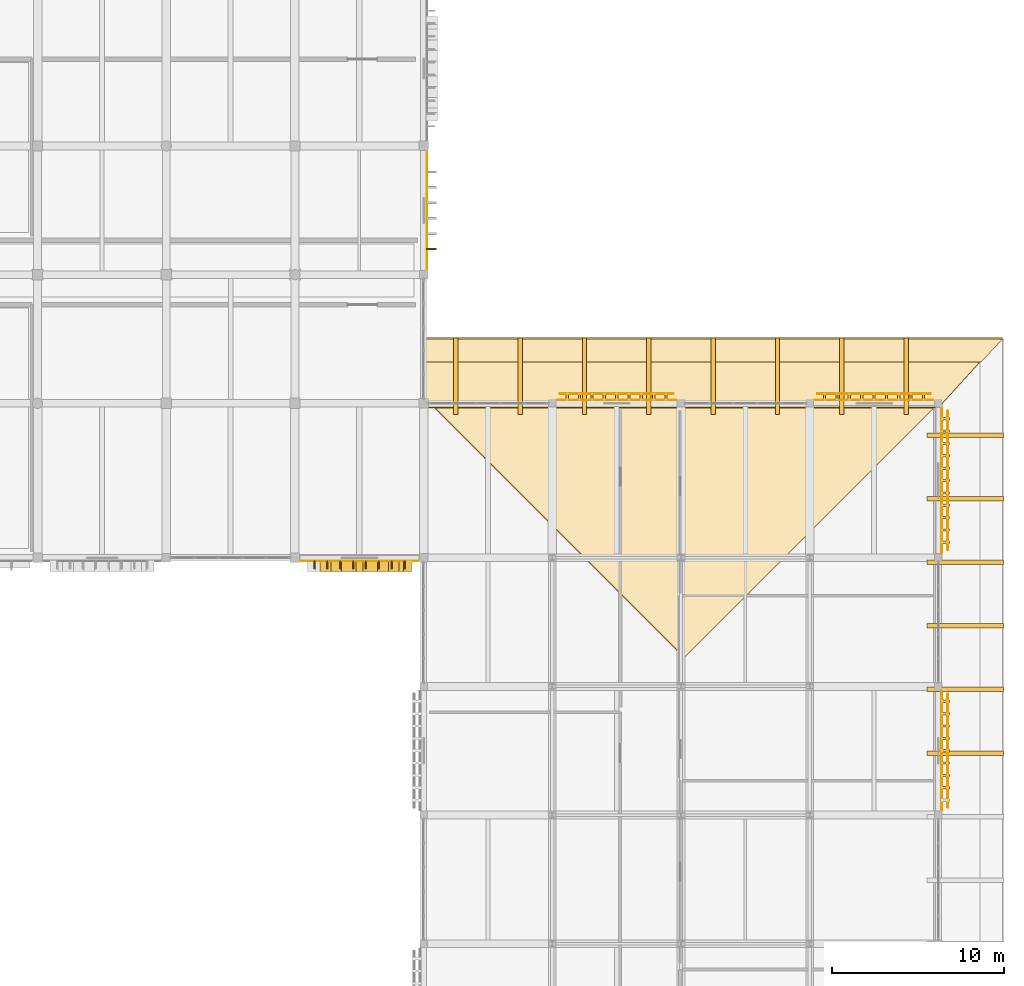
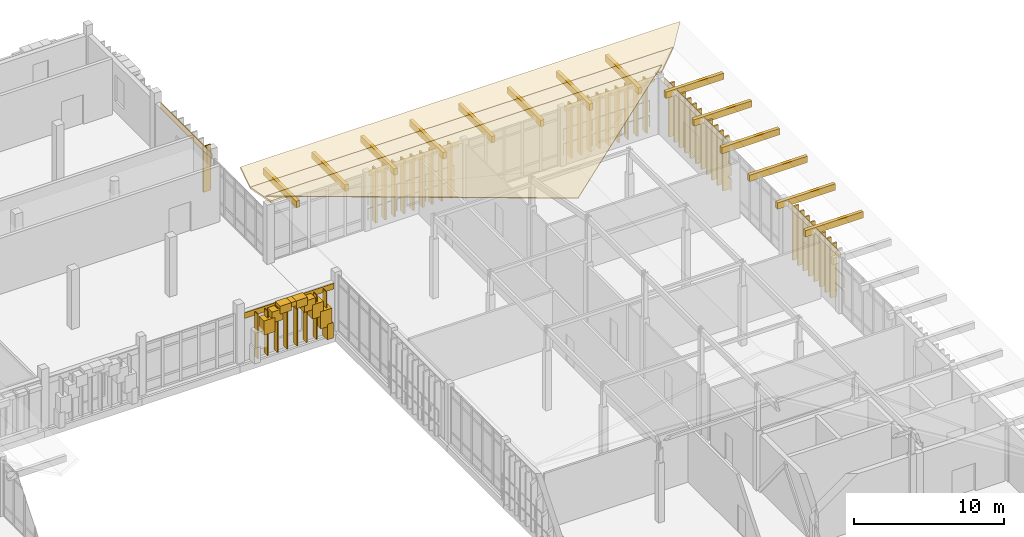
# One storey, part 130 of 131: 70 coverings, 8 railings, 8 shading devices.
"""IFC4 building model written with IfcOpenShell, lengths in metres."""

import ifcopenshell
import ifcopenshell.guid

model = None  # the IFC model being written
_history = None  # IfcOwnerHistory: only IFC2X3 demands one
_inside = {}  # id of a spatial element -> (the spatial element, [elements in it])
_under = {}  # id of a project, library or spatial element -> (it, [spatial elements below it])
_declared = {}  # id of a project -> (the project, [libraries it declares])
_typed = {}  # id of a type object -> (the type object, [elements of that type])
_made_of = {}  # id of a material, layer set ... -> (it, [elements and type objects made of it])


def new_model(schema):
    """Start an empty IFC model of exactly this schema.

    Asked for "IFC4X3", IfcOpenShell would pick the latest addendum, in which some entities
    have other attributes; the version numbers below select the first issue.
    IFC2X3 requires an IfcOwnerHistory on every rooted entity: one is made here for all.
    """
    global model, _history
    if schema == "IFC4X3":
        model = ifcopenshell.file(schema_version=(4, 3, 0, 0))
    else:
        model = ifcopenshell.file(schema=schema)
    _inside.clear()
    _under.clear()
    _declared.clear()
    _typed.clear()
    _made_of.clear()
    _history = None
    if model.schema == "IFC2X3":
        org = make("IfcOrganization", Name="unknown")
        user = make(
            "IfcPersonAndOrganization",
            ThePerson=make("IfcPerson", FamilyName="unknown"),
            TheOrganization=org,
        )
        app = make(
            "IfcApplication",
            ApplicationDeveloper=org,
            Version="unknown",
            ApplicationFullName="unknown",
            ApplicationIdentifier="unknown",
        )
        _history = make(
            "IfcOwnerHistory",
            OwningUser=user,
            OwningApplication=app,
            ChangeAction="ADDED",
            CreationDate=0,
        )
    return model


def make(cls, **values):
    """One entity of the class cls with the attributes given. An attribute that is None is left unset."""
    return model.create_entity(
        cls, **{name: value for name, value in values.items() if value is not None}
    )


def rooted(cls, **values):
    """An entity with a GlobalId (a new one), such as an element, a storey or a relation."""
    return make(cls, GlobalId=ifcopenshell.guid.new(), OwnerHistory=_history, **values)


def si_unit(unit_type, name, prefix=None):
    """IfcSIUnit, for example si_unit("LENGTHUNIT", "METRE", prefix="MILLI")."""
    return make("IfcSIUnit", UnitType=unit_type, Prefix=prefix, Name=name)


def assignment(units):
    """IfcUnitAssignment: the units of a project."""
    return None if units is None else make("IfcUnitAssignment", Units=units)


def point(xyz):
    """IfcCartesianPoint."""
    return None if xyz is None else make("IfcCartesianPoint", Coordinates=xyz)


def direction(xyz):
    """IfcDirection."""
    return None if xyz is None else make("IfcDirection", DirectionRatios=xyz)


def frame(location, z_axis=None, x_axis=None):
    """IfcAxis2Placement3D, a coordinate frame: its origin and axes. An axis left out is left unset."""
    return make(
        "IfcAxis2Placement3D",
        Location=point(location),
        Axis=direction(z_axis),
        RefDirection=direction(x_axis),
    )


def frame_2d(location, x_axis=None):
    """IfcAxis2Placement2D, a coordinate frame in the plane: its origin and x axis."""
    return make(
        "IfcAxis2Placement2D", Location=point(location), RefDirection=direction(x_axis)
    )


def origin():
    """The frame at (0, 0, 0) with its axes left unset."""
    return frame((0.0, 0.0, 0.0))


def origin_2d():
    """The frame at (0, 0) in the plane with its x axis left unset."""
    return frame_2d((0.0, 0.0))


def place(relative_to, where):
    """IfcLocalPlacement: puts the frame where relative to a parent placement (None: the world)."""
    return make(
        "IfcLocalPlacement", PlacementRelTo=relative_to, RelativePlacement=where
    )


def context(
    kind, dimensions, precision=None, world=None, true_north=None, identifier=None
):
    """IfcGeometricRepresentationContext, for example the 3D "Model" context."""
    return make(
        "IfcGeometricRepresentationContext",
        ContextIdentifier=identifier,
        ContextType=kind,
        CoordinateSpaceDimension=dimensions,
        Precision=precision,
        WorldCoordinateSystem=world,
        TrueNorth=true_north,
    )


def subcontext(parent, identifier, kind, view, scale=None):
    """IfcGeometricRepresentationSubContext, for example "Body" below "Model"."""
    return make(
        "IfcGeometricRepresentationSubContext",
        ContextIdentifier=identifier,
        ContextType=kind,
        ParentContext=parent,
        TargetScale=scale,
        TargetView=view,
    )


def project(units=None, contexts=None):
    """IfcProject with its units and contexts."""
    return rooted(
        "IfcProject",
        Name="project",
        RepresentationContexts=contexts,
        UnitsInContext=assignment(units),
    )


def spatial(cls, under=None, at=None, **own):
    """A site, building, storey or space (cls), placed at a placement, below another one or the project."""
    s = rooted(cls, ObjectPlacement=at, **own)
    if under is not None:
        _under.setdefault(under.id(), (under, []))[1].append(s)
    return s


def polyline(points):
    """IfcPolyline through the points."""
    return make("IfcPolyline", Points=[point(p) for p in points])


def profile(cls, at=None, kind="AREA", **sizes):
    """A parametric profile (cls). Its sizes go by their IFC names, for example OverallWidth=200.0."""
    return make(cls, ProfileType=kind, Position=at, **sizes)


def rectangle(**sizes):
    """IfcRectangleProfileDef."""
    return profile("IfcRectangleProfileDef", **sizes)


def circle(**sizes):
    """IfcCircleProfileDef."""
    return profile("IfcCircleProfileDef", **sizes)


def outline(outer, holes=None, kind="AREA"):
    """IfcArbitraryClosedProfileDef: a profile drawn as a closed curve; with holes, ...WithVoids."""
    if holes is None:
        return make("IfcArbitraryClosedProfileDef", ProfileType=kind, OuterCurve=outer)
    return make(
        "IfcArbitraryProfileDefWithVoids",
        ProfileType=kind,
        OuterCurve=outer,
        InnerCurves=holes,
    )


def extrude(swept, where, along, depth):
    """IfcExtrudedAreaSolid: the profile swept, set in the frame where, extruded along a direction by depth."""
    return make(
        "IfcExtrudedAreaSolid",
        SweptArea=swept,
        Position=where,
        ExtrudedDirection=direction(along),
        Depth=depth,
    )


def shape(context_of_items, identifier, shape_type, items):
    """IfcShapeRepresentation: the items that make up one representation, for example the "Body"."""
    return make(
        "IfcShapeRepresentation",
        ContextOfItems=context_of_items,
        RepresentationIdentifier=identifier,
        RepresentationType=shape_type,
        Items=items,
    )


def material(Name=None, Category=None):
    """IfcMaterial."""
    return make("IfcMaterial", Name=Name, Category=Category)


def layer(
    of_material, thickness, ventilated=None, Name=None, Category=None, Priority=None
):
    """IfcMaterialLayer: one layer of a wall or slab, of a material (None: an air gap)."""
    return make(
        "IfcMaterialLayer",
        Material=of_material,
        LayerThickness=thickness,
        IsVentilated=ventilated,
        Name=Name,
        Category=Category,
        Priority=Priority,
    )


def layer_set(layers, Name=None):
    """IfcMaterialLayerSet."""
    return make("IfcMaterialLayerSet", MaterialLayers=layers, LayerSetName=Name)


def made_of(thing, what):
    """Note that an element or type object is made of a material, layer set ...; save() writes the relation."""
    if what is not None:
        _made_of.setdefault(what.id(), (what, []))[1].append(thing)
    return thing


def type_object(cls, material=None, **own):
    """A type object (cls), such as IfcWallType, which elements share."""
    return made_of(rooted(cls, **own), material)


def element(
    cls,
    number,
    at=None,
    inside=None,
    cuts=None,
    type_object=None,
    material=None,
    context=None,
    identifier="Body",
    shape_type=None,
    held_by="IfcProductDefinitionShape",
    body=None,
    shapes=None,
    **own,
):
    """One element of the class cls, such as IfcWall. Its Tag is "e" and its number.

    at: its placement. inside: the storey or other place that contains it. cuts: it is an
    opening in that element (IfcRelVoidsElement). A single representation is given by context,
    identifier, shape_type and body (its items); several are given by shapes. held_by: the class
    of the entity that holds the representations. save() writes the other relations.
    """
    e = rooted(cls, Tag="e%d" % number, ObjectPlacement=at, **own)
    if body is not None:
        shapes = [shape(context, identifier, shape_type, body)]
    if shapes is not None:
        e.Representation = make(held_by, Representations=shapes)
    if inside is not None:
        _inside.setdefault(inside.id(), (inside, []))[1].append(e)
    if cuts is not None:
        rooted(
            "IfcRelVoidsElement", RelatingBuildingElement=cuts, RelatedOpeningElement=e
        )
    if type_object is not None:
        _typed.setdefault(type_object.id(), (type_object, []))[1].append(e)
    return made_of(e, material)


def aggregate(whole, parts):
    """IfcRelAggregates: a whole, such as a stair, and the parts it consists of."""
    return rooted("IfcRelAggregates", RelatingObject=whole, RelatedObjects=parts)


def save(model, path):
    """Write the relations noted so far, then the file.

    IfcRelAggregates (storeys below a building ...), IfcRelContainedInSpatialStructure (elements
    in a storey), IfcRelDefinesByType, IfcRelAssociatesMaterial and IfcRelDeclares: one each for
    every whole, place, type object, material and project.
    """
    for whole, parts in _under.values():
        aggregate(whole, parts)
    for where, things in _inside.values():
        rooted(
            "IfcRelContainedInSpatialStructure",
            RelatedElements=things,
            RelatingStructure=where,
        )
    for kind, things in _typed.values():
        rooted("IfcRelDefinesByType", RelatedObjects=things, RelatingType=kind)
    for what, things in _made_of.values():
        rooted("IfcRelAssociatesMaterial", RelatedObjects=things, RelatingMaterial=what)
    for by, libraries in _declared.values():
        rooted("IfcRelDeclares", RelatingContext=by, RelatedDefinitions=libraries)
    model.write(path)


model = new_model("IFC4")

# Units and contexts
model_context = context("Model", 3, precision=1e-05, world=origin(), true_north=direction((0.0, 1.0)))
body_context = subcontext(model_context, "Body", "Model", "MODEL_VIEW")
ifc_project = project(units=[si_unit("LENGTHUNIT", "METRE"), si_unit("AREAUNIT", "SQUARE_METRE"), si_unit("VOLUMEUNIT", "CUBIC_METRE"), si_unit("PLANEANGLEUNIT", "RADIAN"), si_unit("MASSUNIT", "GRAM", prefix="KILO")], contexts=[model_context])

# Site, building, storey
site_placement = place(None, origin())
site = spatial("IfcSite", under=ifc_project, at=site_placement, CompositionType="ELEMENT")
building_placement = place(site_placement, origin())
building = spatial("IfcBuilding", under=site, at=building_placement, Name="Dalvernix Boulevard General Hospital", CompositionType="ELEMENT")
storey_placement = place(building_placement, frame((0.0, 0.0, 9.300048828125)))
storey = spatial("IfcBuildingStorey", under=building, at=storey_placement, Name="L02", CompositionType="ELEMENT", Elevation=9.300048828125)

# Coverings
ifc_material_1 = material(Name="Pressed Catalan clay brick and dressed limestone parabolic archivolt", Category="masonry")
ifc_layer_1 = layer(ifc_material_1, 0.419921875)
ifc_layer_set_1 = layer_set([ifc_layer_1], Name="Pressed Catalan clay brick and dressed limestone parabolic archivolt (COV-ARC-01)")
covering_type_1 = type_object("IfcCoveringType", Name="COV-ARC-01", PredefinedType="CLADDING", material=ifc_layer_set_1)
covering_1_placement = place(storey_placement, frame((141.5625, 76.014892578125, 0.0), z_axis=(0.0, 0.0, 1.0), x_axis=(-1.0, 0.0, 0.0)))
element("IfcCovering", 1, at=covering_1_placement, inside=storey, type_object=covering_type_1, Name="L02 Catalan parabolic arch impost pier S 18-10-L", PredefinedType="CLADDING", context=body_context, shape_type="SweptSolid", body=[
    extrude(rectangle(XDim=0.4599609375, YDim=0.659912109375, at=origin_2d()), origin(), (0.0, 0.0, 1.0), 1.25),
])
covering_2_placement = place(storey_placement, frame((141.25146484375, 76.014892578125, 1.059814453125), z_axis=(0.0, 0.0, 1.0), x_axis=(-1.0, 0.0, 0.0)))
element("IfcCovering", 2, at=covering_2_placement, inside=storey, type_object=covering_type_1, Name="L02 Catalan parabolic archivolt voussoir S 18-10-1", PredefinedType="CLADDING", context=body_context, shape_type="SweptSolid", body=[
    extrude(rectangle(XDim=0.8623046875, YDim=0.659912109375, at=origin_2d()), origin(), (0.0, 0.0, 1.0), 1.3994140625),
])
covering_3_placement = place(storey_placement, frame((140.629150390625, 76.014892578125, 2.0791015625), z_axis=(0.0, 0.0, 1.0), x_axis=(-1.0, 0.0, 0.0)))
element("IfcCovering", 3, at=covering_3_placement, inside=storey, type_object=covering_type_1, Name="L02 Catalan parabolic archivolt voussoir S 18-10-2", PredefinedType="CLADDING", context=body_context, shape_type="SweptSolid", body=[
    extrude(rectangle(XDim=0.8623046875, YDim=0.659912109375, at=origin_2d()), origin(), (0.0, 0.0, 1.0), 1.144287109375),
])
covering_4_placement = place(storey_placement, frame((140.0068359375, 76.014892578125, 2.843505859375), z_axis=(0.0, 0.0, 1.0), x_axis=(-1.0, 0.0, 0.0)))
element("IfcCovering", 4, at=covering_4_placement, inside=storey, type_object=covering_type_1, Name="L02 Catalan parabolic archivolt voussoir S 18-10-3", PredefinedType="CLADDING", context=body_context, shape_type="SweptSolid", body=[
    extrude(rectangle(XDim=0.8623046875, YDim=0.659912109375, at=origin_2d()), origin(), (0.0, 0.0, 1.0), 0.8896484375),
])
covering_5_placement = place(storey_placement, frame((139.384765625, 76.014892578125, 3.353271484375), z_axis=(0.0, 0.0, 1.0), x_axis=(-1.0, 0.0, 0.0)))
element("IfcCovering", 5, at=covering_5_placement, inside=storey, type_object=covering_type_1, Name="L02 Catalan parabolic archivolt voussoir S 18-10-4", PredefinedType="CLADDING", context=body_context, shape_type="SweptSolid", body=[
    extrude(rectangle(XDim=0.8623046875, YDim=0.659912109375, at=origin_2d()), origin(), (0.0, 0.0, 1.0), 0.634765625),
])
covering_6_placement = place(storey_placement, frame((138.762451171875, 76.014892578125, 3.608154296875), z_axis=(0.0, 0.0, 1.0), x_axis=(-1.0, 0.0, 0.0)))
element("IfcCovering", 6, at=covering_6_placement, inside=storey, type_object=covering_type_1, Name="L02 Catalan parabolic archivolt voussoir S 18-10-5", PredefinedType="CLADDING", context=body_context, shape_type="SweptSolid", body=[
    extrude(rectangle(XDim=0.8623046875, YDim=0.659912109375, at=origin_2d()), origin(), (0.0, 0.0, 1.0), 0.3798828125),
])
covering_7_placement = place(storey_placement, frame((138.140380859375, 76.014892578125, 3.353271484375), z_axis=(0.0, 0.0, 1.0), x_axis=(-1.0, 0.0, 0.0)))
element("IfcCovering", 7, at=covering_7_placement, inside=storey, type_object=covering_type_1, Name="L02 Catalan parabolic archivolt voussoir S 18-10-6", PredefinedType="CLADDING", context=body_context, shape_type="SweptSolid", body=[
    extrude(rectangle(XDim=0.8623046875, YDim=0.659912109375, at=origin_2d()), origin(), (0.0, 0.0, 1.0), 0.634765625),
])
covering_8_placement = place(storey_placement, frame((137.51806640625, 76.014892578125, 2.843505859375), z_axis=(0.0, 0.0, 1.0), x_axis=(-1.0, 0.0, 0.0)))
element("IfcCovering", 8, at=covering_8_placement, inside=storey, type_object=covering_type_1, Name="L02 Catalan parabolic archivolt voussoir S 18-10-7", PredefinedType="CLADDING", context=body_context, shape_type="SweptSolid", body=[
    extrude(rectangle(XDim=0.8623046875, YDim=0.659912109375, at=origin_2d()), origin(), (0.0, 0.0, 1.0), 0.8896484375),
])
covering_9_placement = place(storey_placement, frame((136.895751953125, 76.014892578125, 2.0791015625), z_axis=(0.0, 0.0, 1.0), x_axis=(-1.0, 0.0, 0.0)))
element("IfcCovering", 9, at=covering_9_placement, inside=storey, type_object=covering_type_1, Name="L02 Catalan parabolic archivolt voussoir S 18-10-8", PredefinedType="CLADDING", context=body_context, shape_type="SweptSolid", body=[
    extrude(rectangle(XDim=0.8623046875, YDim=0.659912109375, at=origin_2d()), origin(), (0.0, 0.0, 1.0), 1.144287109375),
])
ifc_material_2 = material(Name="Polychrome Catalan glazed ceramic spandrel tile panel")
ifc_layer_2 = layer(ifc_material_2, 0.044921875)
ifc_layer_set_2 = layer_set([ifc_layer_2], Name="Polychrome Catalan glazed ceramic spandrel tile panel (COV-CLD-01)")
covering_type_2 = type_object("IfcCoveringType", Name="COV-CLD-01", PredefinedType="CLADDING", material=ifc_layer_set_2)
for number, where, z_axis, x_axis, name in (
    (10, (138.762451171875, 76.304931640625, 3.47509765625), (0.0, 0.0, 1.0), (-1.0, 0.0, 0.0), "L02 polychrome ceramic spandrel S 18-10"),
    (11, (142.695068359375, 96.737548828125, 3.47509765625), (0.0, 0.0, 1.0), (0.0, -1.0, 0.0), "L02 polychrome ceramic spandrel E 19-12"),
):
    element("IfcCovering", number, at=place(storey_placement, frame(where, z_axis=z_axis, x_axis=x_axis)), inside=storey, type_object=covering_type_2, Name=name, PredefinedType="CLADDING", context=body_context, shape_type="SweptSolid", body=[
        extrude(rectangle(XDim=6.85498046875, YDim=0.044921875, at=origin_2d()), origin(), (0.0, 0.0, 1.0), 0.449951171875),
    ])
for number, where, z_axis, x_axis, name in (
    (12, (153.75, 85.695068359375, 4.0751953125), (0.0, 0.0, 1.0), (1.0, 0.0, 0.0), "L02 polychrome ceramic spandrel N 20-11"),
    (13, (172.695068359375, 65.25, 4.0751953125), (0.0, 0.0, 1.0), (0.0, -1.0, 0.0), "L02 polychrome ceramic spandrel E 23-8"),
    (14, (168.75, 85.695068359375, 4.0751953125), (0.0, 0.0, 1.0), (1.0, 0.0, 0.0), "L02 polychrome ceramic spandrel N 22-11"),
):
    element("IfcCovering", number, at=place(storey_placement, frame(where, z_axis=z_axis, x_axis=x_axis)), inside=storey, type_object=covering_type_2, Name=name, PredefinedType="CLADDING", context=body_context, shape_type="SweptSolid", body=[
        extrude(rectangle(XDim=6.929931640625, YDim=0.044921875, at=origin_2d()), origin(), (0.0, 0.0, 1.0), 0.449951171875),
    ])
covering_10_placement = place(storey_placement, frame((172.695068359375, 81.0, 4.0751953125), z_axis=(0.0, 0.0, 1.0), x_axis=(0.0, -1.0, 0.0)))
element("IfcCovering", 15, at=covering_10_placement, inside=storey, type_object=covering_type_2, Name="L02 polychrome ceramic spandrel E 23-10", PredefinedType="CLADDING", context=body_context, shape_type="SweptSolid", body=[
    extrude(rectangle(XDim=8.429931640625, YDim=0.044921875, at=origin_2d()), origin(), (0.0, 0.0, 1.0), 0.449951171875),
])
ifc_material_3 = material(Name="Glazed Catalan terracotta and iroko timber overhanging upturned eave", Category="masonry")
ifc_layer_3 = layer(ifc_material_3, 0.139892578125)
ifc_layer_set_3 = layer_set([ifc_layer_3], Name="Glazed Catalan terracotta and iroko timber overhanging upturned eave (COV-EAVE-01)")
covering_type_3 = type_object("IfcCoveringType", Name="COV-EAVE-01", PredefinedType="CLADDING", material=ifc_layer_set_3)
covering_11_placement = place(storey_placement, frame((172.5, 85.25, 5.06005859375), z_axis=(0.0, 0.185805173125, 0.982586605669), x_axis=(-1.0, 0.0, 0.0)))
element("IfcCovering", 16, at=covering_11_placement, inside=storey, type_object=covering_type_3, Name="V2 overhanging ceramic eave skirt N", PredefinedType="CLADDING", context=body_context, shape_type="SweptSolid", body=[
    extrude(outline(polyline([(0.0, 0.0), (30.0, 0.0), (30.0, -2.798735484621844), (-2.5, -2.798735484621844), (0.0, 0.0)])), origin(), (0.0, 0.0, -1.0), 0.139892578125),
])
covering_12_placement = place(storey_placement, frame((175.0, 87.919921875, 4.5400390625), z_axis=(0.0, -0.542906093133, 0.839793411524), x_axis=(-1.0, 0.0, 0.0)))
element("IfcCovering", 17, at=covering_12_placement, inside=storey, type_object=covering_type_3, Name="V2 upturned ceramic eave wing N", PredefinedType="CLADDING", context=body_context, shape_type="SweptSolid", body=[
    extrude(outline(polyline([(0.0, 0.0), (32.5, 0.0), (32.5, -1.5838158608391104), (-1.25, -1.5838158608391104), (0.0, 0.0)])), origin(), (0.0, 0.0, -1.0), 0.139892578125),
])
ifc_material_4 = material(Name="Terracotta-clad iroko timber brise-soleil sun-breaker fin", Category="masonry")
ifc_layer_4 = layer(ifc_material_4, 0.10009765625)
ifc_layer_set_4 = layer_set([ifc_layer_4], Name="Terracotta-clad iroko timber brise-soleil sun-breaker fin (COV-FIN-02)")
covering_type_4 = type_object("IfcCoveringType", Name="COV-FIN-02", PredefinedType="CLADDING", material=ifc_layer_set_4)
covering_13_placement = place(storey_placement, frame((142.945068359375, 94.487548828125, 0.119873046875), z_axis=(0.0, 0.0, 1.0), x_axis=(0.0, -1.0, 0.0)))
element("IfcCovering", 18, at=covering_13_placement, inside=storey, type_object=covering_type_4, Name="L02 terracotta brise-soleil fin E 19-12-6", PredefinedType="CLADDING", context=body_context, shape_type="SweptSolid", body=[
    extrude(rectangle(XDim=0.10009765625, YDim=0.580078125, at=origin_2d()), origin(), (0.0, 0.0, 1.0), 3.7099609375),
])
ifc_material_5 = material(Name="Preservative-treated glulam GL28h eave outlooker corbel bracket", Category="wood")
ifc_layer_5 = layer(ifc_material_5, 0.239990234375)
ifc_layer_set_5 = layer_set([ifc_layer_5], Name="Preservative-treated glulam GL28h eave outlooker corbel bracket (COV-OUTLOOK-01)")
covering_type_5 = type_object("IfcCoveringType", Name="COV-OUTLOOK-01", PredefinedType="CLADDING", material=ifc_layer_set_5)
for number, where, z_axis, x_axis, name in (
    (19, (174.074951171875, 65.11767578125, 4.139892578125), (0.0, 0.0, 1.0), (1.0, 0.0, 0.0), "V2 glulam eave outlooker corbel E-12"),
    (20, (174.074951171875, 68.823486328125, 4.139892578125), (0.0, 0.0, 1.0), (1.0, 0.0, 0.0), "V2 glulam eave outlooker corbel E-13"),
    (21, (174.074951171875, 72.529296875, 4.139892578125), (0.0, 0.0, 1.0), (1.0, 0.0, 0.0), "V2 glulam eave outlooker corbel E-14"),
    (22, (174.074951171875, 76.2353515625, 4.139892578125), (0.0, 0.0, 1.0), (1.0, 0.0, 0.0), "V2 glulam eave outlooker corbel E-15"),
    (23, (174.074951171875, 79.941162109375, 4.139892578125), (0.0, 0.0, 1.0), (1.0, 0.0, 0.0), "V2 glulam eave outlooker corbel E-16"),
    (24, (174.074951171875, 83.647216796875, 4.139892578125), (0.0, 0.0, 1.0), (1.0, 0.0, 0.0), "V2 glulam eave outlooker corbel E-17"),
):
    element("IfcCovering", number, at=place(storey_placement, frame(where, z_axis=z_axis, x_axis=x_axis)), inside=storey, type_object=covering_type_5, Name=name, PredefinedType="CLADDING", context=body_context, shape_type="SweptSolid", body=[
        extrude(rectangle(XDim=4.449951171875, YDim=0.260009765625, at=origin_2d()), origin(), (0.0, 0.0, 1.0), 0.52001953125),
    ])
for number, where, z_axis, x_axis, name in (
    (25, (144.375, 87.074951171875, 4.139892578125), (0.0, 0.0, 1.0), (1.0, 0.0, 0.0), "V2 glulam eave outlooker corbel N-1"),
    (26, (148.125, 87.074951171875, 4.139892578125), (0.0, 0.0, 1.0), (1.0, 0.0, 0.0), "V2 glulam eave outlooker corbel N-2"),
    (27, (151.875, 87.074951171875, 4.139892578125), (0.0, 0.0, 1.0), (1.0, 0.0, 0.0), "V2 glulam eave outlooker corbel N-3"),
    (28, (155.625, 87.074951171875, 4.139892578125), (0.0, 0.0, 1.0), (1.0, 0.0, 0.0), "V2 glulam eave outlooker corbel N-4"),
    (29, (159.375, 87.074951171875, 4.139892578125), (0.0, 0.0, 1.0), (1.0, 0.0, 0.0), "V2 glulam eave outlooker corbel N-5"),
    (30, (163.125, 87.074951171875, 4.139892578125), (0.0, 0.0, 1.0), (1.0, 0.0, 0.0), "V2 glulam eave outlooker corbel N-6"),
    (31, (166.875, 87.074951171875, 4.139892578125), (0.0, 0.0, 1.0), (1.0, 0.0, 0.0), "V2 glulam eave outlooker corbel N-7"),
    (32, (170.625, 87.074951171875, 4.139892578125), (0.0, 0.0, 1.0), (1.0, 0.0, 0.0), "V2 glulam eave outlooker corbel N-8"),
):
    element("IfcCovering", number, at=place(storey_placement, frame(where, z_axis=z_axis, x_axis=x_axis)), inside=storey, type_object=covering_type_5, Name=name, PredefinedType="CLADDING", context=body_context, shape_type="SweptSolid", body=[
        extrude(rectangle(XDim=0.260009765625, YDim=4.449951171875, at=origin_2d()), origin(), (0.0, 0.0, 1.0), 0.52001953125),
    ])
ifc_material_6 = material(Name="Polychrome Catalan glazed terracotta roof tiles", Category="masonry")
ifc_layer_6 = layer(ifc_material_6, 0.050048828125)
ifc_layer_set_6 = layer_set([ifc_layer_6], Name="Polychrome Catalan glazed terracotta roof tiles (COV-ROOF-01)")
covering_type_6 = type_object("IfcCoveringType", Name="COV-ROOF-01", PredefinedType="ROOFING", material=ifc_layer_set_6)
covering_14_placement = place(storey_placement, frame((172.89990234375, 85.89990234375, 5.070068359375), z_axis=(0.0, 0.238529380826, 0.971135281247), x_axis=(-1.0, 0.0, 0.0)))
element("IfcCovering", 33, at=covering_14_placement, inside=storey, type_object=covering_type_6, Name="V2 glazed terracotta tile slope N", PredefinedType="ROOFING", context=body_context, shape_type="SweptSolid", body=[
    extrude(outline(polyline([(0.0, 0.0), (30.39990234375, 0.0), (15.199951171875, 15.651734073913714), (0.0, 0.0)])), origin(), (0.0, 0.0, -1.0), 0.050048828125),
])
ifc_material_7 = material(Name="Preservative-treated West African iroko timber lattice screen", Category="wood")
ifc_layer_7 = layer(ifc_material_7, 0.1201171875)
ifc_layer_set_7 = layer_set([ifc_layer_7], Name="Preservative-treated West African iroko timber lattice screen (COV-TSCR-01)")
covering_type_7 = type_object("IfcCoveringType", Name="COV-TSCR-01", PredefinedType="CLADDING", material=ifc_layer_set_7)
for number, where, z_axis, x_axis, name in (
    (34, (150.8701171875, 85.89501953125, 0.099853515625), (0.0, 0.0, 1.0), (1.0, 0.0, 0.0), "L02 upper-ward timber screen blade N 20-11-1"),
    (35, (151.590087890625, 85.89501953125, 0.099853515625), (0.0, 0.0, 1.0), (1.0, 0.0, 0.0), "L02 upper-ward timber screen blade N 20-11-2"),
    (36, (152.31005859375, 85.89501953125, 0.099853515625), (0.0, 0.0, 1.0), (1.0, 0.0, 0.0), "L02 upper-ward timber screen blade N 20-11-3"),
    (37, (153.030029296875, 85.89501953125, 0.099853515625), (0.0, 0.0, 1.0), (1.0, 0.0, 0.0), "L02 upper-ward timber screen blade N 20-11-4"),
    (38, (153.75, 85.89501953125, 0.099853515625), (0.0, 0.0, 1.0), (1.0, 0.0, 0.0), "L02 upper-ward timber screen blade N 20-11-5"),
    (39, (154.469970703125, 85.89501953125, 0.099853515625), (0.0, 0.0, 1.0), (1.0, 0.0, 0.0), "L02 upper-ward timber screen blade N 20-11-6"),
    (40, (155.18994140625, 85.89501953125, 0.099853515625), (0.0, 0.0, 1.0), (1.0, 0.0, 0.0), "L02 upper-ward timber screen blade N 20-11-7"),
    (41, (155.909912109375, 85.89501953125, 0.099853515625), (0.0, 0.0, 1.0), (1.0, 0.0, 0.0), "L02 upper-ward timber screen blade N 20-11-8"),
    (42, (156.6298828125, 85.89501953125, 0.099853515625), (0.0, 0.0, 1.0), (1.0, 0.0, 0.0), "L02 upper-ward timber screen blade N 20-11-9"),
    (43, (172.89501953125, 68.1298828125, 0.099853515625), (0.0, 0.0, 1.0), (0.0, -1.0, 0.0), "L02 upper-ward timber screen blade E 23-8-1"),
    (44, (172.89501953125, 67.409912109375, 0.099853515625), (0.0, 0.0, 1.0), (0.0, -1.0, 0.0), "L02 upper-ward timber screen blade E 23-8-2"),
    (45, (172.89501953125, 66.68994140625, 0.099853515625), (0.0, 0.0, 1.0), (0.0, -1.0, 0.0), "L02 upper-ward timber screen blade E 23-8-3"),
    (46, (172.89501953125, 65.969970703125, 0.099853515625), (0.0, 0.0, 1.0), (0.0, -1.0, 0.0), "L02 upper-ward timber screen blade E 23-8-4"),
    (47, (172.89501953125, 65.25, 0.099853515625), (0.0, 0.0, 1.0), (0.0, -1.0, 0.0), "L02 upper-ward timber screen blade E 23-8-5"),
    (48, (172.89501953125, 64.530029296875, 0.099853515625), (0.0, 0.0, 1.0), (0.0, -1.0, 0.0), "L02 upper-ward timber screen blade E 23-8-6"),
    (49, (172.89501953125, 63.81005859375, 0.099853515625), (0.0, 0.0, 1.0), (0.0, -1.0, 0.0), "L02 upper-ward timber screen blade E 23-8-7"),
    (50, (172.89501953125, 63.090087890625, 0.099853515625), (0.0, 0.0, 1.0), (0.0, -1.0, 0.0), "L02 upper-ward timber screen blade E 23-8-8"),
    (51, (165.8701171875, 85.89501953125, 0.099853515625), (0.0, 0.0, 1.0), (1.0, 0.0, 0.0), "L02 upper-ward timber screen blade N 22-11-1"),
    (52, (166.590087890625, 85.89501953125, 0.099853515625), (0.0, 0.0, 1.0), (1.0, 0.0, 0.0), "L02 upper-ward timber screen blade N 22-11-2"),
    (53, (167.31005859375, 85.89501953125, 0.099853515625), (0.0, 0.0, 1.0), (1.0, 0.0, 0.0), "L02 upper-ward timber screen blade N 22-11-3"),
    (54, (168.030029296875, 85.89501953125, 0.099853515625), (0.0, 0.0, 1.0), (1.0, 0.0, 0.0), "L02 upper-ward timber screen blade N 22-11-4"),
    (55, (168.75, 85.89501953125, 0.099853515625), (0.0, 0.0, 1.0), (1.0, 0.0, 0.0), "L02 upper-ward timber screen blade N 22-11-5"),
    (56, (169.469970703125, 85.89501953125, 0.099853515625), (0.0, 0.0, 1.0), (1.0, 0.0, 0.0), "L02 upper-ward timber screen blade N 22-11-6"),
    (57, (170.18994140625, 85.89501953125, 0.099853515625), (0.0, 0.0, 1.0), (1.0, 0.0, 0.0), "L02 upper-ward timber screen blade N 22-11-7"),
    (58, (170.909912109375, 85.89501953125, 0.099853515625), (0.0, 0.0, 1.0), (1.0, 0.0, 0.0), "L02 upper-ward timber screen blade N 22-11-8"),
    (59, (171.6298828125, 85.89501953125, 0.099853515625), (0.0, 0.0, 1.0), (1.0, 0.0, 0.0), "L02 upper-ward timber screen blade N 22-11-9"),
    (60, (172.89501953125, 84.60009765625, 0.099853515625), (0.0, 0.0, 1.0), (0.0, -1.0, 0.0), "L02 upper-ward timber screen blade E 23-10-1"),
    (61, (172.89501953125, 83.8798828125, 0.099853515625), (0.0, 0.0, 1.0), (0.0, -1.0, 0.0), "L02 upper-ward timber screen blade E 23-10-2"),
    (62, (172.89501953125, 83.159912109375, 0.099853515625), (0.0, 0.0, 1.0), (0.0, -1.0, 0.0), "L02 upper-ward timber screen blade E 23-10-3"),
    (63, (172.89501953125, 82.43994140625, 0.099853515625), (0.0, 0.0, 1.0), (0.0, -1.0, 0.0), "L02 upper-ward timber screen blade E 23-10-4"),
    (64, (172.89501953125, 81.719970703125, 0.099853515625), (0.0, 0.0, 1.0), (0.0, -1.0, 0.0), "L02 upper-ward timber screen blade E 23-10-5"),
    (65, (172.89501953125, 81.0, 0.099853515625), (0.0, 0.0, 1.0), (0.0, -1.0, 0.0), "L02 upper-ward timber screen blade E 23-10-6"),
    (66, (172.89501953125, 80.280029296875, 0.099853515625), (0.0, 0.0, 1.0), (0.0, -1.0, 0.0), "L02 upper-ward timber screen blade E 23-10-7"),
    (67, (172.89501953125, 79.56005859375, 0.099853515625), (0.0, 0.0, 1.0), (0.0, -1.0, 0.0), "L02 upper-ward timber screen blade E 23-10-8"),
    (68, (172.89501953125, 78.840087890625, 0.099853515625), (0.0, 0.0, 1.0), (0.0, -1.0, 0.0), "L02 upper-ward timber screen blade E 23-10-9"),
    (69, (172.89501953125, 78.1201171875, 0.099853515625), (0.0, 0.0, 1.0), (0.0, -1.0, 0.0), "L02 upper-ward timber screen blade E 23-10-10"),
    (70, (172.89501953125, 77.39990234375, 0.099853515625), (0.0, 0.0, 1.0), (0.0, -1.0, 0.0), "L02 upper-ward timber screen blade E 23-10-11"),
):
    element("IfcCovering", number, at=place(storey_placement, frame(where, z_axis=z_axis, x_axis=x_axis)), inside=storey, type_object=covering_type_7, Name=name, PredefinedType="CLADDING", context=body_context, shape_type="SweptSolid", body=[
        extrude(rectangle(XDim=0.1298828125, YDim=0.47998046875, at=origin_2d()), origin(), (0.0, 0.0, 1.0), 4.35009765625),
    ])

# Railings
ifc_material_8 = material(Name="Preservative-treated iroko timber horizontal screen louver rail", Category="wood")
railing_type = type_object("IfcRailingType", Name="RL-TSCR-01", PredefinedType="BALUSTRADE", material=ifc_material_8)
for number, where, name in (
    (71, (150.455078125, 86.054931640625, 0.25), "L02 upper-ward horizontal timber screen louver N 20-11-1"),
    (72, (150.455078125, 86.054931640625, 1.449951171875), "L02 upper-ward horizontal timber screen louver N 20-11-2"),
):
    element("IfcRailing", number, at=place(storey_placement, frame(where)), inside=storey, type_object=railing_type, Name=name, PredefinedType="BALUSTRADE", context=body_context, shape_type="SweptSolid", body=[
        extrude(circle(Radius=0.02392578125, at=origin_2d()), frame((0.0, 0.0, 0.92578125), z_axis=(1.0, 0.0, 0.0), x_axis=(0.0, 1.0, 0.0)), (0.0, 0.0, 1.0), 6.58984375),
        extrude(circle(Radius=0.02099609375, at=origin_2d()), origin(), (0.0, 0.0, 1.0), 0.90185546875),
        extrude(circle(Radius=0.02099609375, at=origin_2d()), frame((1.098388671875, 0.0, 0.0)), (0.0, 0.0, 1.0), 0.90185546875),
        extrude(circle(Radius=0.02099609375, at=origin_2d()), frame((2.196533203125, 0.0, 0.0)), (0.0, 0.0, 1.0), 0.90185546875),
        extrude(circle(Radius=0.02099609375, at=origin_2d()), frame((3.294921875, 0.0, 0.0)), (0.0, 0.0, 1.0), 0.90185546875),
        extrude(circle(Radius=0.02099609375, at=origin_2d()), frame((4.393310546875, 0.0, 0.0)), (0.0, 0.0, 1.0), 0.90185546875),
        extrude(circle(Radius=0.02099609375, at=origin_2d()), frame((5.491455078125, 0.0, 0.0)), (0.0, 0.0, 1.0), 0.90185546875),
        extrude(circle(Radius=0.02099609375, at=origin_2d()), frame((6.58984375, 0.0, 0.0)), (0.0, 0.0, 1.0), 0.90185546875),
    ])
for number, where, name in (
    (73, (173.054931640625, 68.544921875, 0.25), "L02 upper-ward horizontal timber screen louver E 23-8-1"),
    (74, (173.054931640625, 68.544921875, 1.449951171875), "L02 upper-ward horizontal timber screen louver E 23-8-2"),
):
    element("IfcRailing", number, at=place(storey_placement, frame(where)), inside=storey, type_object=railing_type, Name=name, PredefinedType="BALUSTRADE", context=body_context, shape_type="SweptSolid", body=[
        extrude(circle(Radius=0.02392578125, at=origin_2d()), frame((0.0, 0.0, 0.92578125), z_axis=(0.0, -1.0, 0.0), x_axis=(1.0, 0.0, 0.0)), (0.0, 0.0, 1.0), 6.58984375),
        extrude(circle(Radius=0.02099609375, at=origin_2d()), origin(), (0.0, 0.0, 1.0), 0.90185546875),
        extrude(circle(Radius=0.02099609375, at=origin_2d()), frame((0.0, -1.098388671875, 0.0)), (0.0, 0.0, 1.0), 0.90185546875),
        extrude(circle(Radius=0.02099609375, at=origin_2d()), frame((0.0, -2.196533203125, 0.0)), (0.0, 0.0, 1.0), 0.90185546875),
        extrude(circle(Radius=0.02099609375, at=origin_2d()), frame((0.0, -3.294921875, 0.0)), (0.0, 0.0, 1.0), 0.90185546875),
        extrude(circle(Radius=0.02099609375, at=origin_2d()), frame((0.0, -4.393310546875, 0.0)), (0.0, 0.0, 1.0), 0.90185546875),
        extrude(circle(Radius=0.02099609375, at=origin_2d()), frame((0.0, -5.491455078125, 0.0)), (0.0, 0.0, 1.0), 0.90185546875),
        extrude(circle(Radius=0.02099609375, at=origin_2d()), frame((0.0, -6.58984375, 0.0)), (0.0, 0.0, 1.0), 0.90185546875),
    ])
for number, where, name in (
    (75, (165.455078125, 86.054931640625, 0.25), "L02 upper-ward horizontal timber screen louver N 22-11-1"),
    (76, (165.455078125, 86.054931640625, 1.449951171875), "L02 upper-ward horizontal timber screen louver N 22-11-2"),
):
    element("IfcRailing", number, at=place(storey_placement, frame(where)), inside=storey, type_object=railing_type, Name=name, PredefinedType="BALUSTRADE", context=body_context, shape_type="SweptSolid", body=[
        extrude(circle(Radius=0.02392578125, at=origin_2d()), frame((0.0, 0.0, 0.92578125), z_axis=(1.0, 0.0, 0.0), x_axis=(0.0, 1.0, 0.0)), (0.0, 0.0, 1.0), 6.58984375),
        extrude(circle(Radius=0.02099609375, at=origin_2d()), origin(), (0.0, 0.0, 1.0), 0.90185546875),
        extrude(circle(Radius=0.02099609375, at=origin_2d()), frame((1.098388671875, 0.0, 0.0)), (0.0, 0.0, 1.0), 0.90185546875),
        extrude(circle(Radius=0.02099609375, at=origin_2d()), frame((2.196533203125, 0.0, 0.0)), (0.0, 0.0, 1.0), 0.90185546875),
        extrude(circle(Radius=0.02099609375, at=origin_2d()), frame((3.294921875, 0.0, 0.0)), (0.0, 0.0, 1.0), 0.90185546875),
        extrude(circle(Radius=0.02099609375, at=origin_2d()), frame((4.393310546875, 0.0, 0.0)), (0.0, 0.0, 1.0), 0.90185546875),
        extrude(circle(Radius=0.02099609375, at=origin_2d()), frame((5.491455078125, 0.0, 0.0)), (0.0, 0.0, 1.0), 0.90185546875),
        extrude(circle(Radius=0.02099609375, at=origin_2d()), frame((6.58984375, 0.0, 0.0)), (0.0, 0.0, 1.0), 0.90185546875),
    ])
for number, where, name in (
    (77, (173.054931640625, 85.044921875, 0.25), "L02 upper-ward horizontal timber screen louver E 23-10-1"),
    (78, (173.054931640625, 85.044921875, 1.449951171875), "L02 upper-ward horizontal timber screen louver E 23-10-2"),
):
    element("IfcRailing", number, at=place(storey_placement, frame(where)), inside=storey, type_object=railing_type, Name=name, PredefinedType="BALUSTRADE", context=body_context, shape_type="SweptSolid", body=[
        extrude(circle(Radius=0.02392578125, at=origin_2d()), frame((0.0, 0.0, 0.92578125), z_axis=(0.0, -1.0, 0.0), x_axis=(1.0, 0.0, 0.0)), (0.0, 0.0, 1.0), 8.08984375),
        extrude(circle(Radius=0.02099609375, at=origin_2d()), origin(), (0.0, 0.0, 1.0), 0.90185546875),
        extrude(circle(Radius=0.02099609375, at=origin_2d()), frame((0.0, -1.15576171875, 0.0)), (0.0, 0.0, 1.0), 0.90185546875),
        extrude(circle(Radius=0.02099609375, at=origin_2d()), frame((0.0, -2.311279296875, 0.0)), (0.0, 0.0, 1.0), 0.90185546875),
        extrude(circle(Radius=0.02099609375, at=origin_2d()), frame((0.0, -3.467041015625, 0.0)), (0.0, 0.0, 1.0), 0.90185546875),
        extrude(circle(Radius=0.02099609375, at=origin_2d()), frame((0.0, -4.622802734375, 0.0)), (0.0, 0.0, 1.0), 0.90185546875),
        extrude(circle(Radius=0.02099609375, at=origin_2d()), frame((0.0, -5.778564453125, 0.0)), (0.0, 0.0, 1.0), 0.90185546875),
        extrude(circle(Radius=0.02099609375, at=origin_2d()), frame((0.0, -6.93408203125, 0.0)), (0.0, 0.0, 1.0), 0.90185546875),
        extrude(circle(Radius=0.02099609375, at=origin_2d()), frame((0.0, -8.08984375, 0.0)), (0.0, 0.0, 1.0), 0.90185546875),
    ])

# Shading devices
ifc_material_9 = material(Name="Preservative-treated West African iroko timber", Category="wood")
shading_device_type = type_object("IfcShadingDeviceType", Name="SHD-FIN-01", PredefinedType="USERDEFINED", material=ifc_material_9)
for number, where, z_axis, x_axis, name in (
    (79, (141.387451171875, 76.094970703125, 0.1748046875), (0.0, 0.0, 1.0), (-1.0, 0.0, 0.0), "L02 iroko brise-soleil fin 1"),
    (80, (140.637451171875, 76.094970703125, 0.1748046875), (0.0, 0.0, 1.0), (-1.0, 0.0, 0.0), "L02 iroko brise-soleil fin 2"),
    (81, (139.887451171875, 76.094970703125, 0.1748046875), (0.0, 0.0, 1.0), (-1.0, 0.0, 0.0), "L02 iroko brise-soleil fin 3"),
    (82, (139.137451171875, 76.094970703125, 0.1748046875), (0.0, 0.0, 1.0), (-1.0, 0.0, 0.0), "L02 iroko brise-soleil fin 4"),
    (83, (138.387451171875, 76.094970703125, 0.1748046875), (0.0, 0.0, 1.0), (-1.0, 0.0, 0.0), "L02 iroko brise-soleil fin 5"),
    (84, (137.637451171875, 76.094970703125, 0.1748046875), (0.0, 0.0, 1.0), (-1.0, 0.0, 0.0), "L02 iroko brise-soleil fin 6"),
    (85, (136.887451171875, 76.094970703125, 0.1748046875), (0.0, 0.0, 1.0), (-1.0, 0.0, 0.0), "L02 iroko brise-soleil fin 7"),
    (86, (136.137451171875, 76.094970703125, 0.1748046875), (0.0, 0.0, 1.0), (-1.0, 0.0, 0.0), "L02 iroko brise-soleil fin 8"),
):
    element("IfcShadingDevice", number, at=place(storey_placement, frame(where, z_axis=z_axis, x_axis=x_axis)), inside=storey, type_object=shading_device_type, Name=name, ObjectType="FIN", PredefinedType="USERDEFINED", context=body_context, shape_type="SweptSolid", body=[
        extrude(rectangle(XDim=0.06494140625, YDim=0.47998046875, at=origin_2d()), origin(), (0.0, 0.0, 1.0), 3.60009765625),
    ])

save(model, "model.ifc")
